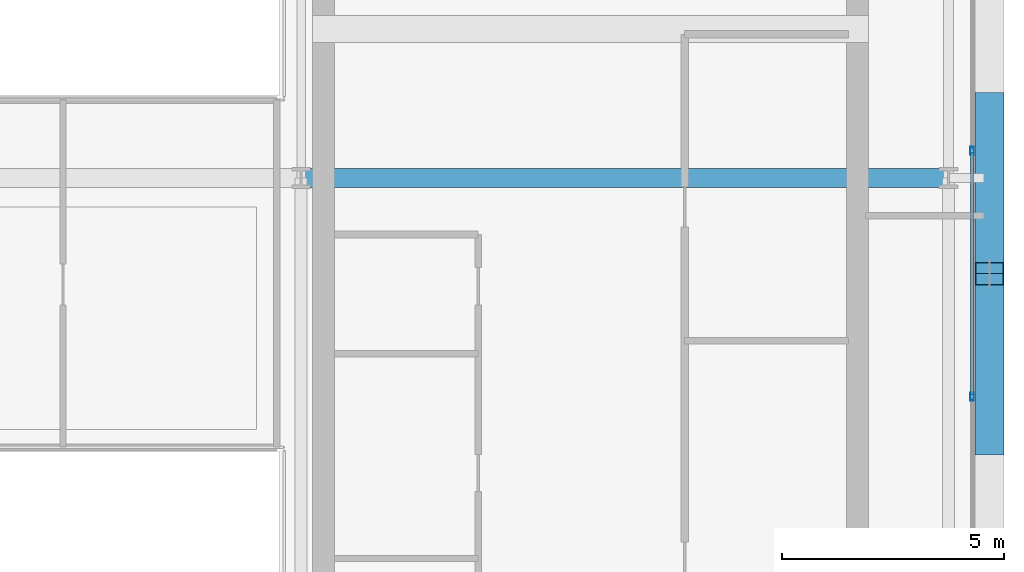
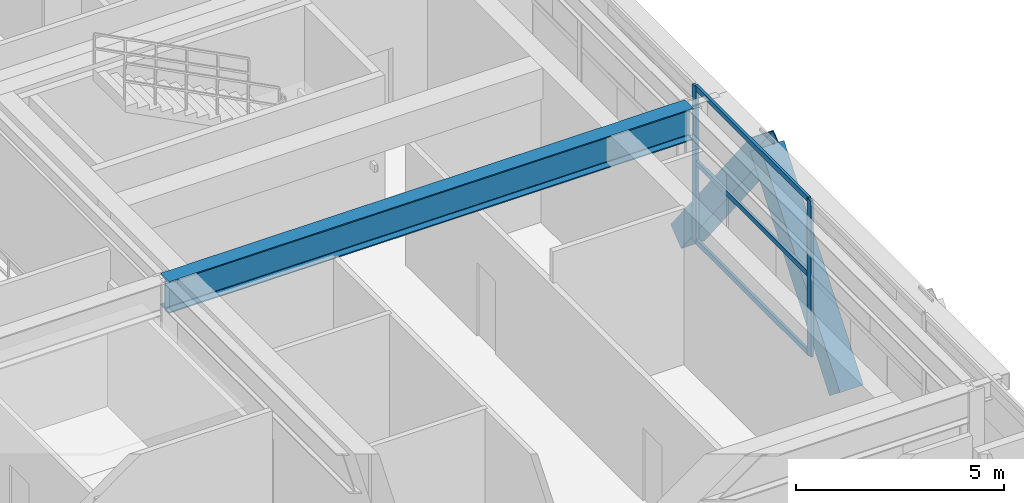
# One storey, part 12 of 31: 7 members, 1 beam, 1 element without a shape of its own.
"""IFC4 building model written with IfcOpenShell, lengths in metres."""

from ifc_helpers import new_model, si_unit, direction, frame, origin, origin_2d, place, context, subcontext, project, spatial, hollow_rectangle, i_section, extrude, source, transform, mapped, material, layer, layer_set, material_profile, profile_set, type_object, element, aggregate, save


model = new_model("IFC4")

# Units and contexts
model_context = context("Model", 3, precision=1e-05, world=origin(), true_north=direction((0.0, 1.0)))
body_context = subcontext(model_context, "Body", "Model", "MODEL_VIEW")
ifc_project = project(units=[si_unit("LENGTHUNIT", "METRE"), si_unit("AREAUNIT", "SQUARE_METRE"), si_unit("VOLUMEUNIT", "CUBIC_METRE"), si_unit("PLANEANGLEUNIT", "RADIAN"), si_unit("MASSUNIT", "GRAM", prefix="KILO")], contexts=[model_context])

# Site, building, storey
site_placement = place(None, origin())
site = spatial("IfcSite", under=ifc_project, at=site_placement, CompositionType="ELEMENT")
building_placement = place(site_placement, origin())
building = spatial("IfcBuilding", under=site, at=building_placement, Name="Ocotamira Hotel", CompositionType="ELEMENT")
storey_placement = place(building_placement, frame((0.0, 0.0, 228.0)))
storey = spatial("IfcBuildingStorey", under=building, at=storey_placement, Name="L57", CompositionType="ELEMENT", Elevation=228.0)

# Beam
ifc_material_1 = material(Name="Steel ASTM A992 Grade 50", Category="steel")
ifc_material_profile_1 = material_profile(ifc_material_1, i_section(OverallWidth=0.41796875, OverallDepth=0.927001953125, WebThickness=0.019287109375, FlangeThickness=0.031982421875, FilletRadius=0.02392578125, at=origin_2d()), Name="W36X231")
ifc_profile_set_1 = profile_set([ifc_material_profile_1], Name="Steel ASTM A992 Grade 50")
beam_type = type_object("IfcBeamType", Name="BM-GIRD-W36X231", PredefinedType="BEAM", material=ifc_profile_set_1)
shared_shape_1 = source(origin(), body_context, "Body", "SweptSolid", [
    extrude(i_section(OverallWidth=0.41796875, OverallDepth=0.927001953125, WebThickness=0.019287109375, FlangeThickness=0.031982421875, FilletRadius=0.02392578125, at=origin_2d()), origin(), (0.0, 0.0, 1.0), 14.550048828125),
])
beam_placement = place(storey_placement, frame((40.5, 28.14990234375, 4.116455078125), z_axis=(1.0, 0.0, 0.0), x_axis=(0.0, 1.0, 0.0)))
element("IfcBeam", 1, at=beam_placement, inside=storey, type_object=beam_type, Name="L57 Girder Y28.15 X40.5-55.05", PredefinedType="BEAM", context=body_context, shape_type="MappedRepresentation", body=[
    mapped(shared_shape_1, transform((0.0, 0.0, 0.0), scale=1.0)),
])

# Members
ifc_material_2 = material(Name="Pale-metal coated steel ASTM A913 Grade 65", Category="steel")
ifc_material_profile_2 = material_profile(ifc_material_2, hollow_rectangle(XDim=0.64990234375, YDim=0.64990234375, WallThickness=0.02197265625, at=origin_2d()), Name="BOX650X650X22")
ifc_profile_set_2 = profile_set([ifc_material_profile_2], Name="Pale-metal coated steel ASTM A913 Grade 65")
member_type_1 = type_object("IfcMemberType", Name="MEM-EXO-BOX650", PredefinedType="BRACE", material=ifc_profile_set_2)
shared_shape_2 = source(origin(), body_context, "Body", "SweptSolid", [
    extrude(hollow_rectangle(XDim=0.64990234375, YDim=0.64990234375, WallThickness=0.02197265625, at=origin_2d()), origin(), (0.0, 0.0, 1.0), 6.1796875),
])
for number, where, z_axis, x_axis, name in (
    (2, (55.969970703125, 22.183349609375, -0.530029296875), (0.0, 0.61762087854, 0.786475969366), (-1.0, 0.0, 0.0), "L57 Exoskeleton Diagrid E1.1"),
    (3, (55.969970703125, 29.816650390625, -0.530029296875), (0.0, -0.61762087854, 0.786475969366), (1.0, 0.0, 0.0), "L57 Exoskeleton Diagrid E1.2"),
):
    element("IfcMember", number, at=place(storey_placement, frame(where, z_axis=z_axis, x_axis=x_axis)), inside=storey, type_object=member_type_1, Name=name, PredefinedType="BRACE", context=body_context, shape_type="MappedRepresentation", body=[
        mapped(shared_shape_2, transform((0.0, 0.0, 0.0), scale=1.0)),
    ])

# Curtain wall, members
ifc_material_3 = material(Name="Anodised pale-metal aluminium and solar glass", Category="aluminium")
ifc_layer = layer(ifc_material_3, 0.239990234375)
ifc_layer_set = layer_set([ifc_layer], Name="Anodised pale-metal aluminium and solar glass")
curtain_wall_type = type_object("IfcCurtainWallType", Name="CW-SYS5-SKY", PredefinedType="NOTDEFINED", material=ifc_layer_set)
curtain_wall_placement = place(storey_placement, origin())
curtain_wall = element("IfcCurtainWall", 4, at=curtain_wall_placement, inside=storey, type_object=curtain_wall_type, Name="L57 Curtain Wall CW-5 CW-L57-E", PredefinedType="NOTDEFINED")
ifc_material_4 = material(Name="Anodised pale-metal aluminium 6063-T6", Category="aluminium")
ifc_material_profile_3 = material_profile(ifc_material_4, hollow_rectangle(XDim=0.074951171875, YDim=0.14990234375, WallThickness=0.006103515625, at=origin_2d()), Name="HSS150X75X6")
ifc_profile_set_3 = profile_set([ifc_material_profile_3], Name="Anodised pale-metal aluminium 6063-T6")
member_type_2 = type_object("IfcMemberType", Name="CWT-150X75", PredefinedType="USERDEFINED", material=ifc_profile_set_3)
shared_shape_3 = source(origin(), body_context, "Body", "SweptSolid", [
    extrude(hollow_rectangle(XDim=0.074951171875, YDim=0.14990234375, WallThickness=0.006103515625, at=origin_2d()), origin(), (0.0, 0.0, 1.0), 5.43994140625),
])
member_1_placement = place(storey_placement, frame((55.580078125, 23.280029296875, 0.03759765625), z_axis=(0.0, 1.0, 0.0), x_axis=(-1.0, 0.0, 0.0)))
member_1 = element("IfcMember", 5, at=member_1_placement, type_object=member_type_2, Name="CW-5 transom 3.1", ObjectType="TRANSOM", PredefinedType="USERDEFINED", context=body_context, shape_type="MappedRepresentation", body=[
    mapped(shared_shape_3, transform((0.0, 0.0, 0.0), scale=1.0)),
])
member_2_placement = place(storey_placement, frame((55.580078125, 23.280029296875, 2.35009765625), z_axis=(0.0, 1.0, 0.0), x_axis=(-1.0, 0.0, 0.0)))
member_2 = element("IfcMember", 6, at=member_2_placement, type_object=member_type_2, Name="CW-5 transom 3.2", ObjectType="TRANSOM", PredefinedType="USERDEFINED", context=body_context, shape_type="MappedRepresentation", body=[
    mapped(shared_shape_3, transform((0.0, 0.0, 0.0), scale=1.0)),
])
member_3_placement = place(storey_placement, frame((55.580078125, 23.280029296875, 4.54248046875), z_axis=(0.0, 1.0, 0.0), x_axis=(-1.0, 0.0, 0.0)))
member_3 = element("IfcMember", 7, at=member_3_placement, type_object=member_type_2, Name="CW-5 transom 3.3", ObjectType="TRANSOM", PredefinedType="USERDEFINED", context=body_context, shape_type="MappedRepresentation", body=[
    mapped(shared_shape_3, transform((0.0, 0.0, 0.0), scale=1.0)),
])
ifc_material_profile_4 = material_profile(ifc_material_4, hollow_rectangle(XDim=0.080078125, YDim=0.179931640625, WallThickness=0.006103515625, at=origin_2d()), Name="HSS180X80X6")
ifc_profile_set_4 = profile_set([ifc_material_profile_4], Name="Anodised pale-metal aluminium 6063-T6")
member_type_3 = type_object("IfcMemberType", Name="CWM-180X75", PredefinedType="MULLION", material=ifc_profile_set_4)
shared_shape_4 = source(origin(), body_context, "Body", "SweptSolid", [
    extrude(hollow_rectangle(XDim=0.080078125, YDim=0.179931640625, WallThickness=0.006103515625, at=origin_2d()), origin(), (0.0, 0.0, 1.0), 4.580078125),
])
member_4_placement = place(storey_placement, frame((55.580078125, 23.239990234375, 0.0), z_axis=(0.0, 0.0, 1.0), x_axis=(-1.0, 0.0, 0.0)))
member_4 = element("IfcMember", 8, at=member_4_placement, type_object=member_type_3, Name="CW-5 mullion 3", PredefinedType="MULLION", context=body_context, shape_type="MappedRepresentation", body=[
    mapped(shared_shape_4, transform((0.0, 0.0, 0.0), scale=1.0)),
])
member_5_placement = place(storey_placement, frame((55.580078125, 28.760009765625, 0.0), z_axis=(0.0, 0.0, 1.0), x_axis=(-1.0, 0.0, 0.0)))
member_5 = element("IfcMember", 9, at=member_5_placement, type_object=member_type_3, Name="CW-5 mullion 4", PredefinedType="MULLION", context=body_context, shape_type="MappedRepresentation", body=[
    mapped(shared_shape_4, transform((0.0, 0.0, 0.0), scale=1.0)),
])
aggregate(curtain_wall, [member_4, member_5, member_1, member_2, member_3])

save(model, "model.ifc")
